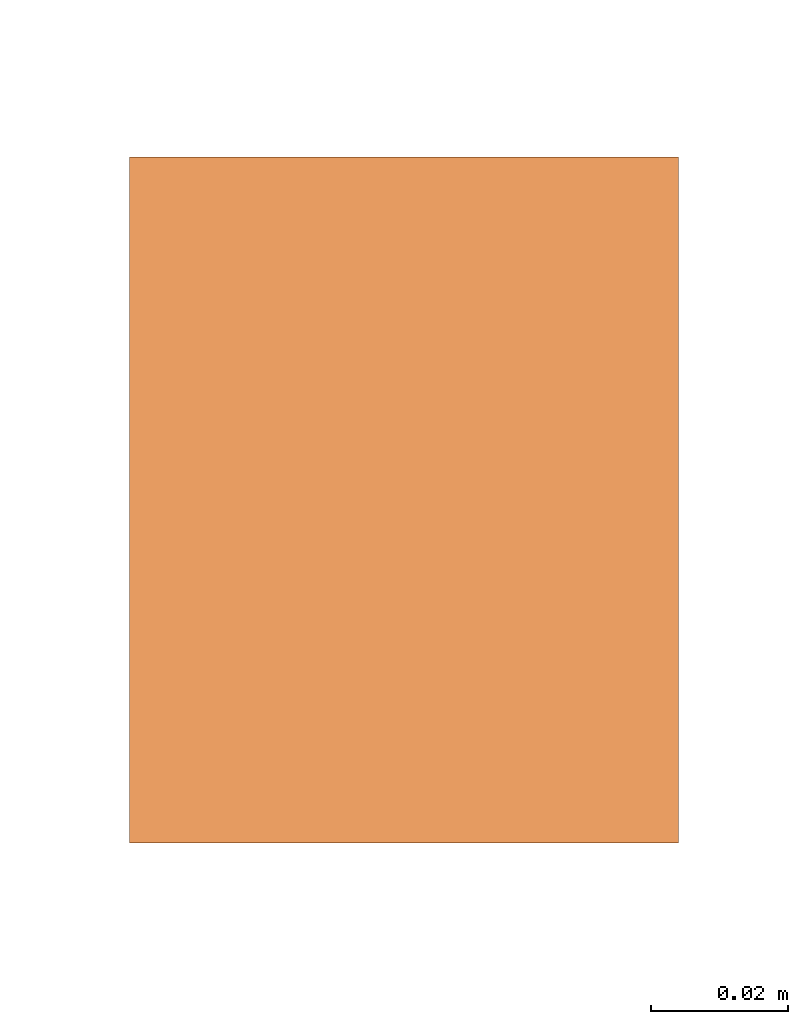
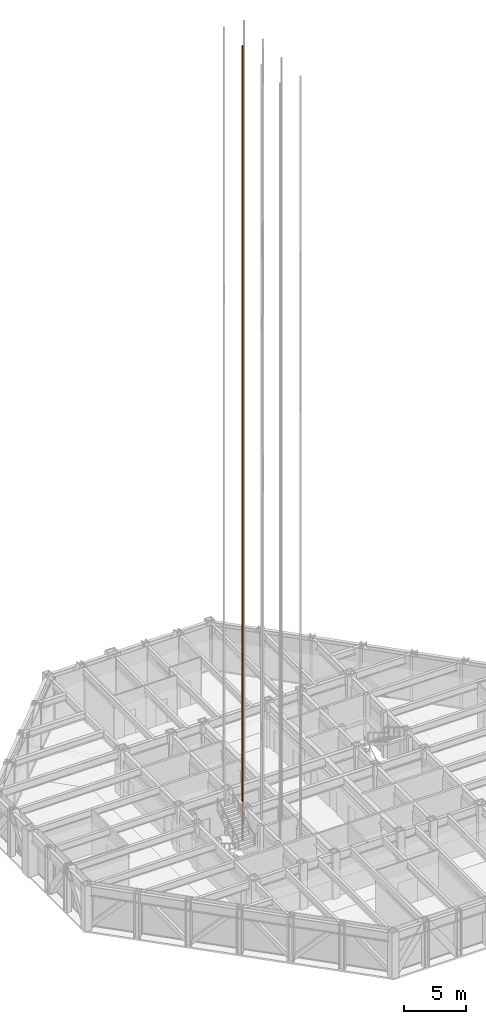
# One storey, part 21 of 24: 1 proxy.
"""IFC4 building model written with IfcOpenShell, lengths in metres."""

from ifc_helpers import new_model, si_unit, direction, frame, origin, origin_2d, place, context, subcontext, project, spatial, rectangle, extrude, material, type_object, element, save


model = new_model("IFC4")

# Units and contexts
model_context = context("Model", 3, precision=1e-05, world=origin(), true_north=direction((0.0, 1.0)))
body_context = subcontext(model_context, "Body", "Model", "MODEL_VIEW")
ifc_project = project(units=[si_unit("LENGTHUNIT", "METRE"), si_unit("AREAUNIT", "SQUARE_METRE"), si_unit("VOLUMEUNIT", "CUBIC_METRE"), si_unit("PLANEANGLEUNIT", "RADIAN"), si_unit("MASSUNIT", "GRAM", prefix="KILO")], contexts=[model_context])

# Site, building, storey
site_placement = place(None, origin())
site = spatial("IfcSite", under=ifc_project, at=site_placement, CompositionType="ELEMENT")
building_placement = place(site_placement, origin())
building = spatial("IfcBuilding", under=site, at=building_placement, Name="Chuquiago Exchange Tower", CompositionType="ELEMENT")
storey_placement = place(building_placement, frame((0.0, 0.0, 180.0)))
storey = spatial("IfcBuildingStorey", under=building, at=storey_placement, Name="L39", CompositionType="ELEMENT", Elevation=180.0)

# Proxy
ifc_material = material(Name="Galvanised steel guide rail", Category="steel")
building_element_proxy_type = type_object("IfcBuildingElementProxyType", Name="LR lift guide rail", PredefinedType="NOTDEFINED", material=ifc_material)
proxy_placement = place(storey_placement, frame((17.06494140625, 22.5, 0.0), z_axis=(0.0, 0.0, 1.0), x_axis=(1.0, 0.0, 0.0)))
element("IfcBuildingElementProxy", 1, at=proxy_placement, inside=storey, type_object=building_element_proxy_type, Name="Lift LC3 guide rail W", PredefinedType="NOTDEFINED", context=body_context, shape_type="SweptSolid", body=[
    extrude(rectangle(XDim=0.080078125, YDim=0.10009765625, at=origin_2d()), origin(), (0.0, 0.0, 1.0), 77.699951171875),
])

save(model, "model.ifc")
